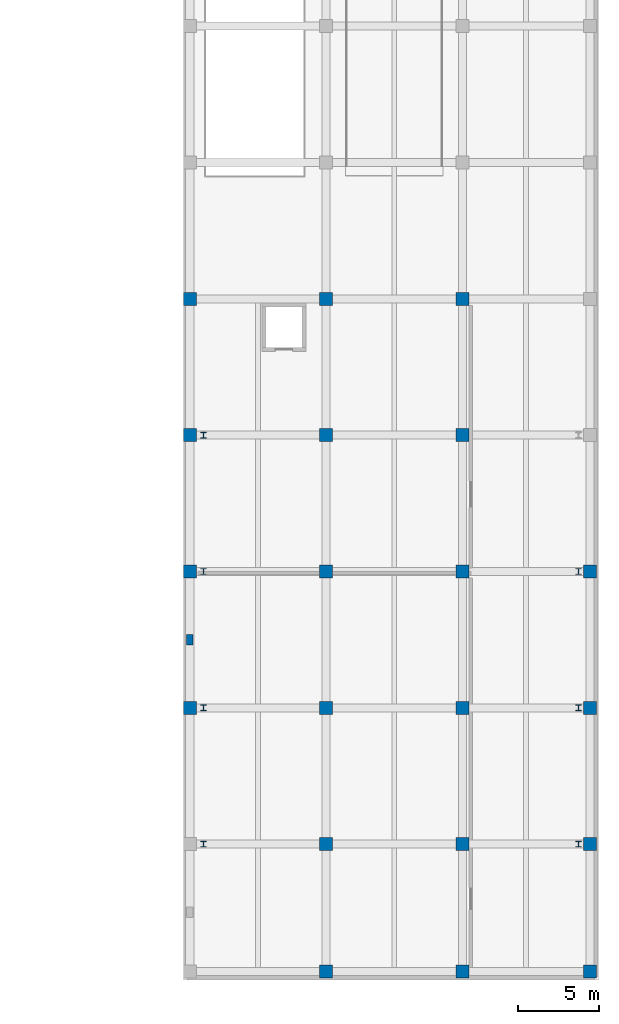
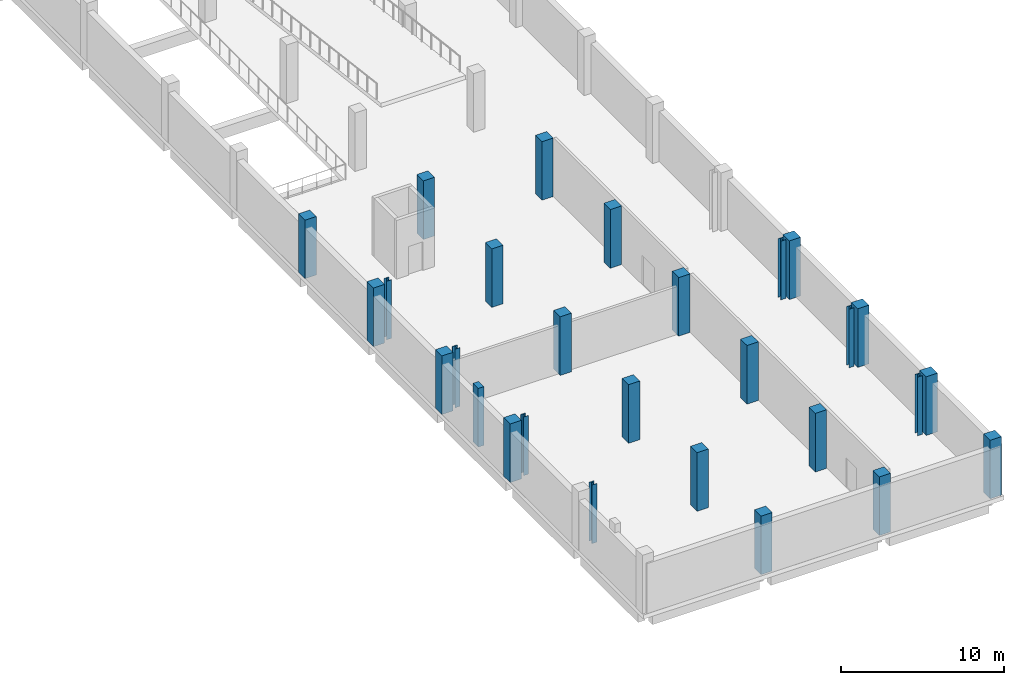
# One storey, part 2 of 17: 28 columns.
"""IFC4 building model written with IfcOpenShell, lengths in metres."""

from ifc_helpers import new_model, si_unit, direction, frame, origin, origin_2d, place, context, subcontext, project, spatial, rectangle, i_section, extrude, material, material_profile, profile_set, type_object, element, save


model = new_model("IFC4")

# Units and contexts
model_context = context("Model", 3, precision=1e-05, world=origin(), true_north=direction((0.0, 1.0)))
body_context = subcontext(model_context, "Body", "Model", "MODEL_VIEW")
ifc_project = project(units=[si_unit("LENGTHUNIT", "METRE"), si_unit("AREAUNIT", "SQUARE_METRE"), si_unit("VOLUMEUNIT", "CUBIC_METRE"), si_unit("PLANEANGLEUNIT", "RADIAN"), si_unit("MASSUNIT", "GRAM", prefix="KILO")], contexts=[model_context])

# Site, building, storey
site_placement = place(None, origin())
site = spatial("IfcSite", under=ifc_project, at=site_placement, CompositionType="ELEMENT")
building_placement = place(site_placement, origin())
building = spatial("IfcBuilding", under=site, at=building_placement, Name="Brinegate Botanical Conservatory", CompositionType="ELEMENT")
storey_placement = place(building_placement, frame((0.0, 0.0, -4.800048828125)))
storey = spatial("IfcBuildingStorey", under=building, at=storey_placement, Name="B1", CompositionType="ELEMENT", Elevation=-4.800048828125)

# Columns
ifc_material_1 = material(Name="Structural steel Q355B / S355", Category="steel")
ifc_material_profile_1 = material_profile(ifc_material_1, i_section(OverallWidth=0.35009765625, OverallDepth=0.35009765625, WebThickness=0.011962890625, FlangeThickness=0.01904296875, at=origin_2d()), Name="HW 350x350x12x19")
ifc_profile_set_1 = profile_set([ifc_material_profile_1], Name="Structural steel Q355B / S355")
column_type_1 = type_object("IfcColumnType", Name="Col_C-S1", PredefinedType="COLUMN", material=ifc_profile_set_1)
for number, where, z_axis, x_axis, name in (
    (1, (139.64990234375, 8.39990234375, 0.0), (0.0, 0.0, 1.0), (1.0, 0.0, 0.0), "Auditorium truss bearing column W1 B1"),
    (2, (139.64990234375, 16.800048828125, 0.0), (0.0, 0.0, 1.0), (1.0, 0.0, 0.0), "Auditorium truss bearing column W2 B1"),
    (3, (139.64990234375, 25.199951171875, 0.0), (0.0, 0.0, 1.0), (1.0, 0.0, 0.0), "Auditorium truss bearing column W3 B1"),
    (4, (139.64990234375, 33.60009765625, 0.0), (0.0, 0.0, 1.0), (1.0, 0.0, 0.0), "Auditorium truss bearing column W4 B1"),
    (5, (162.75, 8.39990234375, 0.0), (0.0, 0.0, 1.0), (1.0, 0.0, 0.0), "Auditorium truss bearing column E1 B1"),
    (6, (162.75, 16.800048828125, 0.0), (0.0, 0.0, 1.0), (1.0, 0.0, 0.0), "Auditorium truss bearing column E2 B1"),
    (7, (162.75, 25.199951171875, 0.0), (0.0, 0.0, 1.0), (1.0, 0.0, 0.0), "Auditorium truss bearing column E3 B1"),
):
    element("IfcColumn", number, at=place(storey_placement, frame(where, z_axis=z_axis, x_axis=x_axis)), inside=storey, type_object=column_type_1, Name=name, PredefinedType="COLUMN", context=body_context, shape_type="SweptSolid", body=[
        extrude(i_section(OverallWidth=0.35009765625, OverallDepth=0.35009765625, WebThickness=0.011962890625, FlangeThickness=0.01904296875, at=origin_2d()), origin(), (0.0, 0.0, 1.0), 4.39501953125),
    ])
ifc_material_2 = material(Name="Concrete C40/50", Category="concrete")
ifc_material_profile_2 = material_profile(ifc_material_2, rectangle(XDim=0.800048828125, YDim=0.800048828125, at=origin_2d()), Name="RC COL 800x800")
ifc_profile_set_2 = profile_set([ifc_material_profile_2], Name="Concrete C40/50")
column_type_2 = type_object("IfcColumnType", Name="Col_C-W1", PredefinedType="COLUMN", material=ifc_profile_set_2)
for number, where, z_axis, x_axis, name in (
    (8, (138.800048828125, 16.800048828125, 0.0), (0.0, 0.0, 1.0), (1.0, 0.0, 0.0), "Column C-W1 B1 C-18"),
    (9, (138.800048828125, 25.199951171875, 0.0), (0.0, 0.0, 1.0), (1.0, 0.0, 0.0), "Column C-W1 B1 D-18"),
    (10, (138.800048828125, 33.60009765625, 0.0), (0.0, 0.0, 1.0), (1.0, 0.0, 0.0), "Column C-W1 B1 E-18"),
    (11, (138.800048828125, 42.0, 0.0), (0.0, 0.0, 1.0), (1.0, 0.0, 0.0), "Column C-W1 B1 F-18"),
    (12, (147.199951171875, 0.550048828125, 0.0), (0.0, 0.0, 1.0), (1.0, 0.0, 0.0), "Column C-W1 B1 A-19"),
    (13, (147.199951171875, 8.39990234375, 0.0), (0.0, 0.0, 1.0), (1.0, 0.0, 0.0), "Column C-W1 B1 B-19"),
    (14, (147.199951171875, 16.800048828125, 0.0), (0.0, 0.0, 1.0), (1.0, 0.0, 0.0), "Column C-W1 B1 C-19"),
    (15, (147.199951171875, 25.199951171875, 0.0), (0.0, 0.0, 1.0), (1.0, 0.0, 0.0), "Column C-W1 B1 D-19"),
    (16, (147.199951171875, 33.60009765625, 0.0), (0.0, 0.0, 1.0), (1.0, 0.0, 0.0), "Column C-W1 B1 E-19"),
    (17, (147.199951171875, 42.0, 0.0), (0.0, 0.0, 1.0), (1.0, 0.0, 0.0), "Column C-W1 B1 F-19"),
    (18, (155.60009765625, 0.550048828125, 0.0), (0.0, 0.0, 1.0), (1.0, 0.0, 0.0), "Column C-W1 B1 A-20"),
    (19, (155.60009765625, 8.39990234375, 0.0), (0.0, 0.0, 1.0), (1.0, 0.0, 0.0), "Column C-W1 B1 B-20"),
    (20, (155.60009765625, 16.800048828125, 0.0), (0.0, 0.0, 1.0), (1.0, 0.0, 0.0), "Column C-W1 B1 C-20"),
    (21, (155.60009765625, 25.199951171875, 0.0), (0.0, 0.0, 1.0), (1.0, 0.0, 0.0), "Column C-W1 B1 D-20"),
    (22, (155.60009765625, 33.60009765625, 0.0), (0.0, 0.0, 1.0), (1.0, 0.0, 0.0), "Column C-W1 B1 E-20"),
    (23, (155.60009765625, 42.0, 0.0), (0.0, 0.0, 1.0), (1.0, 0.0, 0.0), "Column C-W1 B1 F-20"),
    (24, (163.449951171875, 0.550048828125, 0.0), (0.0, 0.0, 1.0), (1.0, 0.0, 0.0), "Column C-W1 B1 A-21"),
    (25, (163.449951171875, 8.39990234375, 0.0), (0.0, 0.0, 1.0), (1.0, 0.0, 0.0), "Column C-W1 B1 B-21"),
    (26, (163.449951171875, 16.800048828125, 0.0), (0.0, 0.0, 1.0), (1.0, 0.0, 0.0), "Column C-W1 B1 C-21"),
    (27, (163.449951171875, 25.199951171875, 0.0), (0.0, 0.0, 1.0), (1.0, 0.0, 0.0), "Column C-W1 B1 D-21"),
):
    element("IfcColumn", number, at=place(storey_placement, frame(where, z_axis=z_axis, x_axis=x_axis)), inside=storey, type_object=column_type_2, Name=name, PredefinedType="COLUMN", context=body_context, shape_type="SweptSolid", body=[
        extrude(rectangle(XDim=0.800048828125, YDim=0.800048828125, at=origin_2d()), origin(), (0.0, 0.0, 1.0), 4.39501953125),
    ])
ifc_material_profile_3 = material_profile(ifc_material_2, rectangle(XDim=0.39990234375, YDim=0.64990234375, at=origin_2d()), Name="RC PILASTER 400x650")
ifc_profile_set_3 = profile_set([ifc_material_profile_3], Name="Concrete C40/50")
column_type_3 = type_object("IfcColumnType", Name="Col_PL-W2", PredefinedType="PILASTER", material=ifc_profile_set_3)
column_placement = place(storey_placement, frame((138.800048828125, 21.0, 0.0), z_axis=(0.0, 0.0, 1.0), x_axis=(1.0, 0.0, 0.0)))
element("IfcColumn", 28, at=column_placement, inside=storey, type_object=column_type_3, Name="Warehouse pilaster PL-W2 B1 PL-W-V2B", PredefinedType="PILASTER", context=body_context, shape_type="SweptSolid", body=[
    extrude(rectangle(XDim=0.39990234375, YDim=0.64990234375, at=origin_2d()), origin(), (0.0, 0.0, 1.0), 4.39501953125),
])

save(model, "model.ifc")
